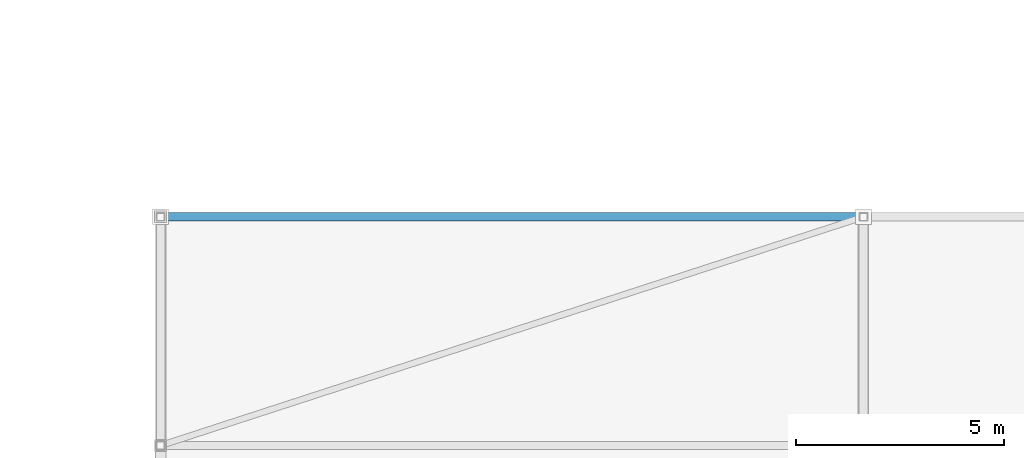
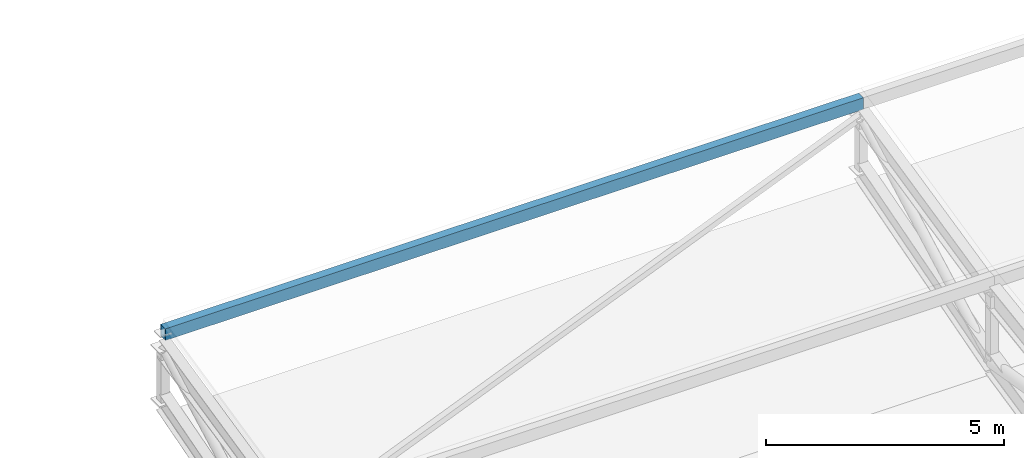
# One storey, part 12 of 114: 1 member.
"""IFC4 building model written with IfcOpenShell, lengths in metres."""

from ifc_helpers import new_model, si_unit, direction, frame, origin, origin_2d, place, context, subcontext, project, spatial, hollow_rectangle, extrude, material, material_profile, profile_set, type_object, element, save


model = new_model("IFC4")

# Units and contexts
model_context = context("Model", 3, precision=1e-05, world=origin(), true_north=direction((0.0, 1.0)))
body_context = subcontext(model_context, "Body", "Model", "MODEL_VIEW")
ifc_project = project(units=[si_unit("LENGTHUNIT", "METRE"), si_unit("AREAUNIT", "SQUARE_METRE"), si_unit("VOLUMEUNIT", "CUBIC_METRE"), si_unit("PLANEANGLEUNIT", "RADIAN"), si_unit("MASSUNIT", "GRAM", prefix="KILO"), si_unit("THERMODYNAMICTEMPERATUREUNIT", "KELVIN"), si_unit("POWERUNIT", "WATT")], contexts=[model_context])

# Site, building, storey
site_placement = place(None, origin())
site = spatial("IfcSite", under=ifc_project, at=site_placement, CompositionType="ELEMENT")
building_placement = place(site_placement, origin())
building = spatial("IfcBuilding", under=site, at=building_placement, Name="Sindhuravela Promenade Stadium", CompositionType="ELEMENT")
storey_placement = place(building_placement, frame((0.0, 0.0, 24.0)))
storey = spatial("IfcBuildingStorey", under=building, at=storey_placement, Name="L05", CompositionType="ELEMENT", Elevation=24.0)

# Member
ifc_material = material(Name="Steel E350 (IS 2062 E350BR)", Category="steel")
ifc_material_profile = material_profile(ifc_material, hollow_rectangle(XDim=0.199951171875, YDim=0.300048828125, WallThickness=0.010009765625, at=origin_2d()), Name="RHS 300x200x10")
ifc_profile_set = profile_set([ifc_material_profile], Name="Steel E350 (IS 2062 E350BR)")
member_type = type_object("IfcMemberType", Name="ST-MB-RHS300", PredefinedType="PURLIN", material=ifc_profile_set)
member_placement = place(storey_placement, frame((55.10009765625, 43.5, 4.76708984375), z_axis=(1.0, 0.0, 0.0), x_axis=(0.0, 1.0, 0.0)))
element("IfcMember", 1, at=member_placement, inside=storey, type_object=member_type, Name="Roof purlin PR02 S bay 1.6", PredefinedType="PURLIN", context=body_context, shape_type="SweptSolid", body=[
    extrude(hollow_rectangle(XDim=0.199951171875, YDim=0.300048828125, WallThickness=0.010009765625, at=origin_2d()), origin(), (0.0, 0.0, 1.0), 16.89990234375),
])

save(model, "model.ifc")
